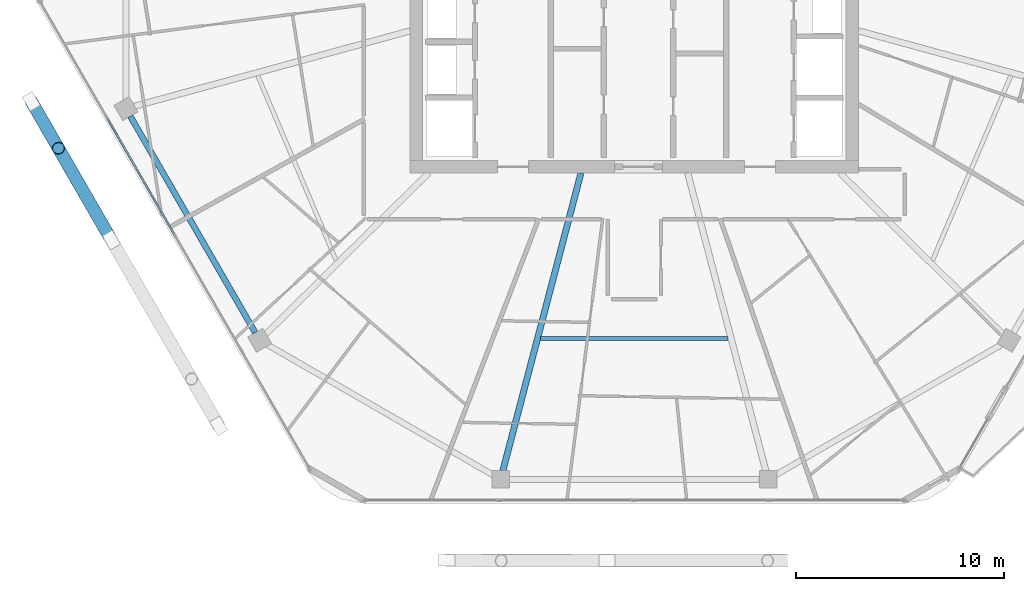
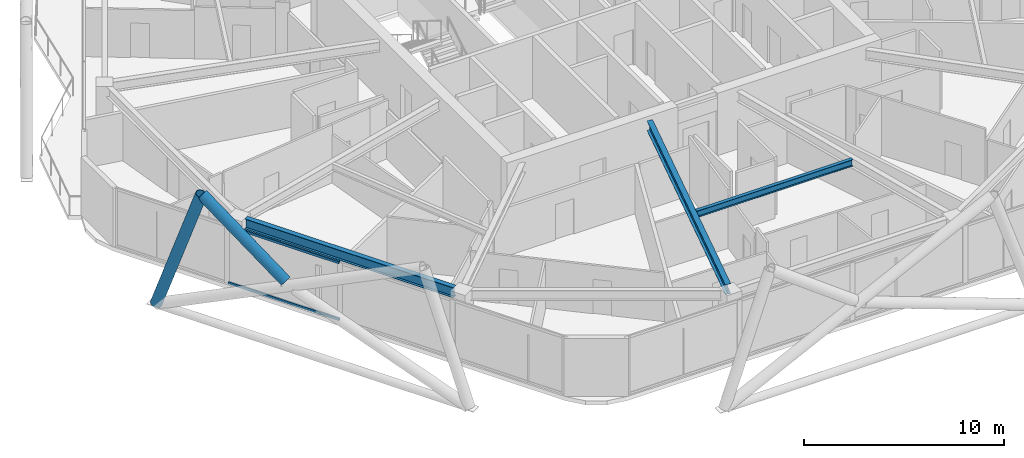
# One storey, part 5 of 29: 4 members, 3 beams, 1 element without a shape of its own.
"""IFC4 building model written with IfcOpenShell, lengths in metres."""

from ifc_helpers import new_model, si_unit, direction, frame, origin, origin_2d, place, context, subcontext, project, spatial, hollow_rectangle, hollow_circle, i_section, extrude, material, material_profile, profile_set, type_object, element, aggregate, save


model = new_model("IFC4")

# Units and contexts
model_context = context("Model", 3, precision=1e-05, world=origin(), true_north=direction((0.0, 1.0)))
body_context = subcontext(model_context, "Body", "Model", "MODEL_VIEW")
ifc_project = project(units=[si_unit("LENGTHUNIT", "METRE"), si_unit("AREAUNIT", "SQUARE_METRE"), si_unit("VOLUMEUNIT", "CUBIC_METRE"), si_unit("PLANEANGLEUNIT", "RADIAN"), si_unit("MASSUNIT", "GRAM", prefix="KILO")], contexts=[model_context])

# Site, building, storey
site_placement = place(None, origin())
site = spatial("IfcSite", under=ifc_project, at=site_placement, CompositionType="ELEMENT")
building_placement = place(site_placement, origin())
building = spatial("IfcBuilding", under=site, at=building_placement, Name="Zuhravey Tower", CompositionType="ELEMENT")
storey_placement = place(building_placement, frame((0.0, 0.0, 292.0)))
storey = spatial("IfcBuildingStorey", under=building, at=storey_placement, Name="L74", CompositionType="ELEMENT", Elevation=292.0)

# Curtain wall, members
ifc_material_1 = material(Name="Thermally broken anodised aluminium", Category="aluminium")
curtain_wall_type = type_object("IfcCurtainWallType", Name="Zone 3-4 High-Rise Curtain Wall CW4", PredefinedType="NOTDEFINED", material=ifc_material_1)
curtain_wall_placement = place(storey_placement, origin())
curtain_wall = element("IfcCurtainWall", 1, at=curtain_wall_placement, inside=storey, type_object=curtain_wall_type, Name="L74 CW4 CW-L74-F4-1", PredefinedType="NOTDEFINED")
ifc_material_2 = material(Name="Anodised aluminium", Category="aluminium")
ifc_material_profile_1 = material_profile(ifc_material_2, hollow_rectangle(XDim=0.090087890625, YDim=0.14990234375, WallThickness=0.0048828125, at=origin_2d()), Name="ALU-RHS-90x150x5")
ifc_profile_set_1 = profile_set([ifc_material_profile_1], Name="Anodised aluminium")
member_type_1 = type_object("IfcMemberType", Name="Curtain-Wall Transom 90x150", PredefinedType="USERDEFINED", material=ifc_profile_set_1)
member_1_placement = place(storey_placement, frame((13.8388671875, 19.257080078125, 0.044921875), z_axis=(-0.499998017366, 0.866026548456, 0.0), x_axis=(-0.866026548456, -0.499998017366, 0.0)))
member_1 = element("IfcMember", 2, at=member_1_placement, type_object=member_type_1, Name="CW4 transom 3.1", ObjectType="TRANSOM", PredefinedType="USERDEFINED", context=body_context, shape_type="SweptSolid", body=[
    extrude(hollow_rectangle(XDim=0.090087890625, YDim=0.14990234375, WallThickness=0.0048828125, at=origin_2d()), origin(), (0.0, 0.0, 1.0), 6.41650390625),
])
member_2_placement = place(storey_placement, frame((13.8388671875, 19.257080078125, 3.5048828125), z_axis=(-0.499998017366, 0.866026548456, 0.0), x_axis=(-0.866026548456, -0.499998017366, 0.0)))
member_2 = element("IfcMember", 3, at=member_2_placement, type_object=member_type_1, Name="CW4 transom 3.2", ObjectType="TRANSOM", PredefinedType="USERDEFINED", context=body_context, shape_type="SweptSolid", body=[
    extrude(hollow_rectangle(XDim=0.090087890625, YDim=0.14990234375, WallThickness=0.0048828125, at=origin_2d()), origin(), (0.0, 0.0, 1.0), 6.41650390625),
])
aggregate(curtain_wall, [member_1, member_2])

# Members
ifc_material_3 = material(Name="Steel SM355", Category="steel")
ifc_material_profile_2 = material_profile(ifc_material_3, hollow_circle(Radius=0.3046875, WallThickness=0.028076171875, at=origin_2d()), Name="CHS-609.6x28")
ifc_profile_set_2 = profile_set([ifc_material_profile_2], Name="Steel SM355")
member_type_2 = type_object("IfcMemberType", Name="Exoskeleton Zone 3 Diagrid CHS610x28", PredefinedType="BRACE", material=ifc_profile_set_2)
member_3_placement = place(storey_placement, frame((6.959716796875, 25.652099609375, -0.446044921875), z_axis=(0.163030622365, -0.282366718953, 0.945351813982), x_axis=(0.866017274468, 0.500014080125, 0.0)))
element("IfcMember", 4, at=member_3_placement, inside=storey, type_object=member_type_2, Name="L74 Face 4 Diagrid Brace 1", PredefinedType="BRACE", context=body_context, shape_type="SweptSolid", body=[
    extrude(hollow_circle(Radius=0.3046875, WallThickness=0.028076171875, at=origin_2d()), origin(), (0.0, 0.0, 1.0), 8.001220703125),
])
member_4_placement = place(storey_placement, frame((10.697509765625, 19.17822265625, 3.51220703125), z_axis=(-0.400881411374, 0.694285413611, 0.597713860021), x_axis=(-0.866006207073, -0.500033248206, 0.0)))
element("IfcMember", 5, at=member_4_placement, inside=storey, type_object=member_type_2, Name="L74 Face 4 Split Diagrid Brace 3B", PredefinedType="BRACE", context=body_context, shape_type="SweptSolid", body=[
    extrude(hollow_circle(Radius=0.3046875, WallThickness=0.028076171875, at=origin_2d()), origin(), (0.0, 0.0, 1.0), 6.02197265625),
])

# Beams
ifc_material_profile_3 = material_profile(ifc_material_3, i_section(OverallWidth=0.280029296875, OverallDepth=0.6201171875, WebThickness=0.011962890625, FlangeThickness=0.02001953125, at=origin_2d()), Name="H-620x280x12x20")
ifc_profile_set_3 = profile_set([ifc_material_profile_3], Name="Steel SM355")
beam_type_1 = type_object("IfcBeamType", Name="Perimeter Ring Beam H620x280", PredefinedType="BEAM", material=ifc_profile_set_3)
beam_1_placement = place(storey_placement, frame((11.7294921875, 24.930419921875, 3.239990234375), z_axis=(0.500005971936, -0.866021955858, 0.0), x_axis=(0.866021955858, 0.500005971936, 0.0)))
element("IfcBeam", 6, at=beam_1_placement, inside=storey, type_object=beam_type_1, Name="L74 PB3 BM-L74-PB-07", PredefinedType="BEAM", context=body_context, shape_type="SweptSolid", body=[
    extrude(i_section(OverallWidth=0.280029296875, OverallDepth=0.6201171875, WebThickness=0.011962890625, FlangeThickness=0.02001953125, at=origin_2d()), origin(), (0.0, 0.0, 1.0), 12.025634765625),
])
ifc_material_profile_4 = material_profile(ifc_material_3, i_section(OverallWidth=0.300048828125, OverallDepth=0.60009765625, WebThickness=0.011962890625, FlangeThickness=0.02001953125, at=origin_2d()), Name="H-600x300x12x20")
ifc_profile_set_4 = profile_set([ifc_material_profile_4], Name="Steel SM355")
beam_type_2 = type_object("IfcBeamType", Name="Radial Primary Girder H600x300", PredefinedType="BEAM", material=ifc_profile_set_4)
beam_2_placement = place(storey_placement, frame((33.428466796875, 22.197021484375, 3.25), z_axis=(-0.25373188956, -0.967274587809, 0.0), x_axis=(0.967274587809, -0.25373188956, 0.0)))
element("IfcBeam", 7, at=beam_2_placement, inside=storey, type_object=beam_type_2, Name="L74 RG3 BM-L74-RAD-09", PredefinedType="BEAM", context=body_context, shape_type="SweptSolid", body=[
    extrude(i_section(OverallWidth=0.300048828125, OverallDepth=0.60009765625, WebThickness=0.011962890625, FlangeThickness=0.02001953125, at=origin_2d()), origin(), (0.0, 0.0, 1.0), 14.82177734375),
])
ifc_material_profile_5 = material_profile(ifc_material_3, i_section(OverallWidth=0.199951171875, OverallDepth=0.39990234375, WebThickness=0.008056640625, FlangeThickness=0.012939453125, at=origin_2d()), Name="H-400x200x8x13")
ifc_profile_set_5 = profile_set([ifc_material_profile_5], Name="Steel SM355")
beam_type_3 = type_object("IfcBeamType", Name="Secondary Floor Joist H400x200", PredefinedType="JOIST", material=ifc_profile_set_5)
beam_3_placement = place(storey_placement, frame((31.492919921875, 14.231689453125, 3.35009765625), z_axis=(1.0, 0.0, 0.0), x_axis=(0.0, 1.0, 0.0)))
element("IfcBeam", 8, at=beam_3_placement, inside=storey, type_object=beam_type_3, Name="L74 SJ2 BM-L74-SJ-09-1", PredefinedType="JOIST", context=body_context, shape_type="SweptSolid", body=[
    extrude(i_section(OverallWidth=0.199951171875, OverallDepth=0.39990234375, WebThickness=0.008056640625, FlangeThickness=0.012939453125, at=origin_2d()), origin(), (0.0, 0.0, 1.0), 9.01416015625),
])

save(model, "model.ifc")
